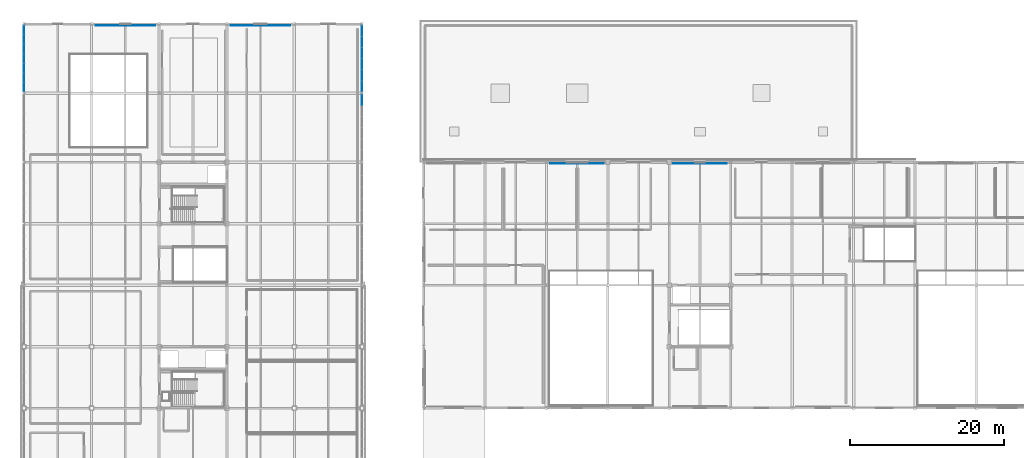
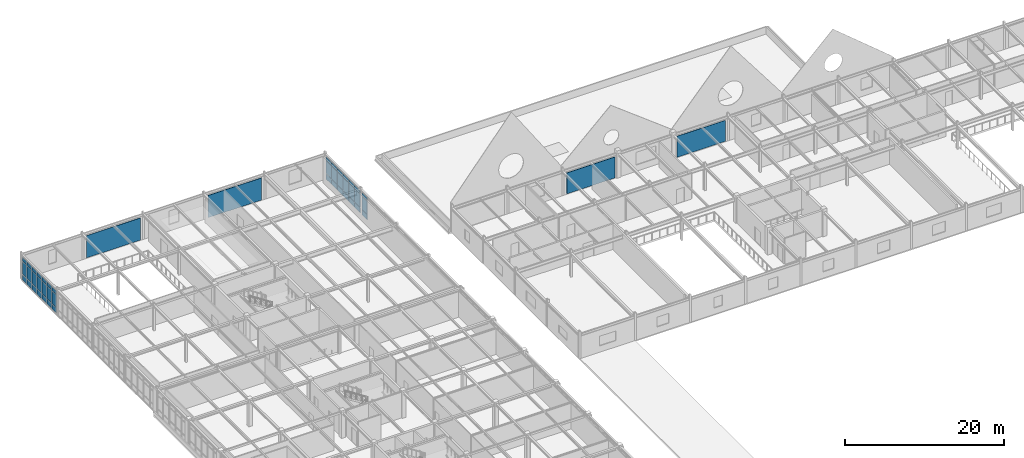
# One storey, part 45 of 88: 46 plates, 3 elements without a shape of their own.
"""IFC4 building model written with IfcOpenShell, lengths in metres."""

from ifc_helpers import new_model, si_unit, direction, frame, origin, origin_2d, place, context, subcontext, project, spatial, rectangle, extrude, material, layer, layer_set, type_object, element, aggregate, save


model = new_model("IFC4")

# Units and contexts
model_context = context("Model", 3, precision=1e-05, world=origin(), true_north=direction((0.0, 1.0)))
body_context = subcontext(model_context, "Body", "Model", "MODEL_VIEW")
ifc_project = project(units=[si_unit("LENGTHUNIT", "METRE"), si_unit("AREAUNIT", "SQUARE_METRE"), si_unit("VOLUMEUNIT", "CUBIC_METRE"), si_unit("PLANEANGLEUNIT", "RADIAN"), si_unit("MASSUNIT", "GRAM", prefix="KILO")], contexts=[model_context])

# Site, building, storey
site_placement = place(None, origin())
site = spatial("IfcSite", under=ifc_project, at=site_placement, CompositionType="ELEMENT")
building_placement = place(site_placement, origin())
building = spatial("IfcBuilding", under=site, at=building_placement, Name="Zhaolan Boulevard Law Courts", CompositionType="ELEMENT")
storey_placement = place(building_placement, frame((0.0, 0.0, 16.199951171875)))
storey = spatial("IfcBuildingStorey", under=building, at=storey_placement, Name="L03", CompositionType="ELEMENT", Elevation=16.199951171875)

# Curtain wall, plates
ifc_material_1 = material(Name="Thermally broken aluminium and low-E glazing", Category="aluminium")
curtain_wall_type_1 = type_object("IfcCurtainWallType", Name="CURTAIN WALL M6", PredefinedType="USERDEFINED", material=ifc_material_1)
curtain_wall_1_placement = place(storey_placement, origin())
curtain_wall_1 = element("IfcCurtainWall", 1, at=curtain_wall_1_placement, inside=storey, type_object=curtain_wall_type_1, Name="Curtain Wall CW-L03-126", ObjectType="CURTAIN WALL", PredefinedType="USERDEFINED")
ifc_material_2 = material(Name="Triple-silver low-E insulated glazing", Category="glass")
ifc_layer_1 = layer(ifc_material_2, 0.028076171875)
ifc_layer_set_1 = layer_set([ifc_layer_1])
plate_type_1 = type_object("IfcPlateType", Name="CWPANEL LOW E28", PredefinedType="CURTAIN_PANEL", material=ifc_layer_set_1)
plate_1_placement = place(storey_placement, frame((0.0, 111.210693359375, 0.06494140625), z_axis=(0.0, 0.0, 1.0), x_axis=(0.0, -1.0, 0.0)))
plate_1 = element("IfcPlate", 2, at=plate_1_placement, type_object=plate_type_1, Name="CW-L03-126 panel 1.1", PredefinedType="CURTAIN_PANEL", context=body_context, shape_type="SweptSolid", body=[
    extrude(rectangle(XDim=1.144775390625, YDim=0.028076171875, at=origin_2d()), origin(), (0.0, 0.0, 1.0), 0.802490234375),
])
plate_2_placement = place(storey_placement, frame((0.0, 111.210693359375, 0.9326171875), z_axis=(0.0, 0.0, 1.0), x_axis=(0.0, -1.0, 0.0)))
plate_2 = element("IfcPlate", 3, at=plate_2_placement, type_object=plate_type_1, Name="CW-L03-126 panel 1.2", PredefinedType="CURTAIN_PANEL", context=body_context, shape_type="SweptSolid", body=[
    extrude(rectangle(XDim=1.144775390625, YDim=0.028076171875, at=origin_2d()), origin(), (0.0, 0.0, 1.0), 1.947998046875),
])
plate_3_placement = place(storey_placement, frame((0.0, 111.210693359375, 2.9453125), z_axis=(0.0, 0.0, 1.0), x_axis=(0.0, -1.0, 0.0)))
plate_3 = element("IfcPlate", 4, at=plate_3_placement, type_object=plate_type_1, Name="CW-L03-126 panel 1.3", PredefinedType="CURTAIN_PANEL", context=body_context, shape_type="SweptSolid", body=[
    extrude(rectangle(XDim=1.144775390625, YDim=0.028076171875, at=origin_2d()), origin(), (0.0, 0.0, 1.0), 0.552490234375),
])
plate_4_placement = place(storey_placement, frame((0.0, 109.984619140625, 0.06494140625), z_axis=(0.0, 0.0, 1.0), x_axis=(0.0, -1.0, 0.0)))
plate_4 = element("IfcPlate", 5, at=plate_4_placement, type_object=plate_type_1, Name="CW-L03-126 panel 2.1", PredefinedType="CURTAIN_PANEL", context=body_context, shape_type="SweptSolid", body=[
    extrude(rectangle(XDim=1.17724609375, YDim=0.028076171875, at=origin_2d()), origin(), (0.0, 0.0, 1.0), 0.802490234375),
])
plate_5_placement = place(storey_placement, frame((0.0, 109.984619140625, 0.9326171875), z_axis=(0.0, 0.0, 1.0), x_axis=(0.0, -1.0, 0.0)))
plate_5 = element("IfcPlate", 6, at=plate_5_placement, type_object=plate_type_1, Name="CW-L03-126 panel 2.2", PredefinedType="CURTAIN_PANEL", context=body_context, shape_type="SweptSolid", body=[
    extrude(rectangle(XDim=1.17724609375, YDim=0.028076171875, at=origin_2d()), origin(), (0.0, 0.0, 1.0), 1.947998046875),
])
plate_6_placement = place(storey_placement, frame((0.0, 109.984619140625, 2.9453125), z_axis=(0.0, 0.0, 1.0), x_axis=(0.0, -1.0, 0.0)))
plate_6 = element("IfcPlate", 7, at=plate_6_placement, type_object=plate_type_1, Name="CW-L03-126 panel 2.3", PredefinedType="CURTAIN_PANEL", context=body_context, shape_type="SweptSolid", body=[
    extrude(rectangle(XDim=1.17724609375, YDim=0.028076171875, at=origin_2d()), origin(), (0.0, 0.0, 1.0), 0.552490234375),
])
plate_7_placement = place(storey_placement, frame((0.0, 108.7421875, 0.06494140625), z_axis=(0.0, 0.0, 1.0), x_axis=(0.0, -1.0, 0.0)))
plate_7 = element("IfcPlate", 8, at=plate_7_placement, type_object=plate_type_1, Name="CW-L03-126 panel 3.1", PredefinedType="CURTAIN_PANEL", context=body_context, shape_type="SweptSolid", body=[
    extrude(rectangle(XDim=1.17724609375, YDim=0.028076171875, at=origin_2d()), origin(), (0.0, 0.0, 1.0), 0.802490234375),
])
plate_8_placement = place(storey_placement, frame((0.0, 108.7421875, 0.9326171875), z_axis=(0.0, 0.0, 1.0), x_axis=(0.0, -1.0, 0.0)))
plate_8 = element("IfcPlate", 9, at=plate_8_placement, type_object=plate_type_1, Name="CW-L03-126 panel 3.2", PredefinedType="CURTAIN_PANEL", context=body_context, shape_type="SweptSolid", body=[
    extrude(rectangle(XDim=1.17724609375, YDim=0.028076171875, at=origin_2d()), origin(), (0.0, 0.0, 1.0), 1.947998046875),
])
plate_9_placement = place(storey_placement, frame((0.0, 108.7421875, 2.9453125), z_axis=(0.0, 0.0, 1.0), x_axis=(0.0, -1.0, 0.0)))
plate_9 = element("IfcPlate", 10, at=plate_9_placement, type_object=plate_type_1, Name="CW-L03-126 panel 3.3", PredefinedType="CURTAIN_PANEL", context=body_context, shape_type="SweptSolid", body=[
    extrude(rectangle(XDim=1.17724609375, YDim=0.028076171875, at=origin_2d()), origin(), (0.0, 0.0, 1.0), 0.552490234375),
])
plate_10_placement = place(storey_placement, frame((0.0, 107.5, 0.06494140625), z_axis=(0.0, 0.0, 1.0), x_axis=(0.0, -1.0, 0.0)))
plate_10 = element("IfcPlate", 11, at=plate_10_placement, type_object=plate_type_1, Name="CW-L03-126 panel 4.1", PredefinedType="CURTAIN_PANEL", context=body_context, shape_type="SweptSolid", body=[
    extrude(rectangle(XDim=1.17724609375, YDim=0.028076171875, at=origin_2d()), origin(), (0.0, 0.0, 1.0), 0.802490234375),
])
plate_11_placement = place(storey_placement, frame((0.0, 107.5, 0.9326171875), z_axis=(0.0, 0.0, 1.0), x_axis=(0.0, -1.0, 0.0)))
plate_11 = element("IfcPlate", 12, at=plate_11_placement, type_object=plate_type_1, Name="CW-L03-126 panel 4.2", PredefinedType="CURTAIN_PANEL", context=body_context, shape_type="SweptSolid", body=[
    extrude(rectangle(XDim=1.17724609375, YDim=0.028076171875, at=origin_2d()), origin(), (0.0, 0.0, 1.0), 1.947998046875),
])
plate_12_placement = place(storey_placement, frame((0.0, 107.5, 2.9453125), z_axis=(0.0, 0.0, 1.0), x_axis=(0.0, -1.0, 0.0)))
plate_12 = element("IfcPlate", 13, at=plate_12_placement, type_object=plate_type_1, Name="CW-L03-126 panel 4.3", PredefinedType="CURTAIN_PANEL", context=body_context, shape_type="SweptSolid", body=[
    extrude(rectangle(XDim=1.17724609375, YDim=0.028076171875, at=origin_2d()), origin(), (0.0, 0.0, 1.0), 0.552490234375),
])
plate_13_placement = place(storey_placement, frame((0.0, 106.2578125, 0.06494140625), z_axis=(0.0, 0.0, 1.0), x_axis=(0.0, -1.0, 0.0)))
plate_13 = element("IfcPlate", 14, at=plate_13_placement, type_object=plate_type_1, Name="CW-L03-126 panel 5.1", PredefinedType="CURTAIN_PANEL", context=body_context, shape_type="SweptSolid", body=[
    extrude(rectangle(XDim=1.17724609375, YDim=0.028076171875, at=origin_2d()), origin(), (0.0, 0.0, 1.0), 0.802490234375),
])
plate_14_placement = place(storey_placement, frame((0.0, 106.2578125, 0.9326171875), z_axis=(0.0, 0.0, 1.0), x_axis=(0.0, -1.0, 0.0)))
plate_14 = element("IfcPlate", 15, at=plate_14_placement, type_object=plate_type_1, Name="CW-L03-126 panel 5.2", PredefinedType="CURTAIN_PANEL", context=body_context, shape_type="SweptSolid", body=[
    extrude(rectangle(XDim=1.17724609375, YDim=0.028076171875, at=origin_2d()), origin(), (0.0, 0.0, 1.0), 1.947998046875),
])
plate_15_placement = place(storey_placement, frame((0.0, 106.2578125, 2.9453125), z_axis=(0.0, 0.0, 1.0), x_axis=(0.0, -1.0, 0.0)))
plate_15 = element("IfcPlate", 16, at=plate_15_placement, type_object=plate_type_1, Name="CW-L03-126 panel 5.3", PredefinedType="CURTAIN_PANEL", context=body_context, shape_type="SweptSolid", body=[
    extrude(rectangle(XDim=1.17724609375, YDim=0.028076171875, at=origin_2d()), origin(), (0.0, 0.0, 1.0), 0.552490234375),
])
plate_16_placement = place(storey_placement, frame((0.0, 105.015380859375, 0.06494140625), z_axis=(0.0, 0.0, 1.0), x_axis=(0.0, -1.0, 0.0)))
plate_16 = element("IfcPlate", 17, at=plate_16_placement, type_object=plate_type_1, Name="CW-L03-126 panel 6.1", PredefinedType="CURTAIN_PANEL", context=body_context, shape_type="SweptSolid", body=[
    extrude(rectangle(XDim=1.17724609375, YDim=0.028076171875, at=origin_2d()), origin(), (0.0, 0.0, 1.0), 0.802490234375),
])
plate_17_placement = place(storey_placement, frame((0.0, 105.015380859375, 0.9326171875), z_axis=(0.0, 0.0, 1.0), x_axis=(0.0, -1.0, 0.0)))
plate_17 = element("IfcPlate", 18, at=plate_17_placement, type_object=plate_type_1, Name="CW-L03-126 panel 6.2", PredefinedType="CURTAIN_PANEL", context=body_context, shape_type="SweptSolid", body=[
    extrude(rectangle(XDim=1.17724609375, YDim=0.028076171875, at=origin_2d()), origin(), (0.0, 0.0, 1.0), 1.947998046875),
])
plate_18_placement = place(storey_placement, frame((0.0, 105.015380859375, 2.9453125), z_axis=(0.0, 0.0, 1.0), x_axis=(0.0, -1.0, 0.0)))
plate_18 = element("IfcPlate", 19, at=plate_18_placement, type_object=plate_type_1, Name="CW-L03-126 panel 6.3", PredefinedType="CURTAIN_PANEL", context=body_context, shape_type="SweptSolid", body=[
    extrude(rectangle(XDim=1.17724609375, YDim=0.028076171875, at=origin_2d()), origin(), (0.0, 0.0, 1.0), 0.552490234375),
])
plate_19_placement = place(storey_placement, frame((0.0, 103.789306640625, 0.06494140625), z_axis=(0.0, 0.0, 1.0), x_axis=(0.0, -1.0, 0.0)))
plate_19 = element("IfcPlate", 20, at=plate_19_placement, type_object=plate_type_1, Name="CW-L03-126 panel 7.1", PredefinedType="CURTAIN_PANEL", context=body_context, shape_type="SweptSolid", body=[
    extrude(rectangle(XDim=1.144775390625, YDim=0.028076171875, at=origin_2d()), origin(), (0.0, 0.0, 1.0), 0.802490234375),
])
plate_20_placement = place(storey_placement, frame((0.0, 103.789306640625, 0.9326171875), z_axis=(0.0, 0.0, 1.0), x_axis=(0.0, -1.0, 0.0)))
plate_20 = element("IfcPlate", 21, at=plate_20_placement, type_object=plate_type_1, Name="CW-L03-126 panel 7.2", PredefinedType="CURTAIN_PANEL", context=body_context, shape_type="SweptSolid", body=[
    extrude(rectangle(XDim=1.144775390625, YDim=0.028076171875, at=origin_2d()), origin(), (0.0, 0.0, 1.0), 1.947998046875),
])
plate_21_placement = place(storey_placement, frame((0.0, 103.789306640625, 2.9453125), z_axis=(0.0, 0.0, 1.0), x_axis=(0.0, -1.0, 0.0)))
plate_21 = element("IfcPlate", 22, at=plate_21_placement, type_object=plate_type_1, Name="CW-L03-126 panel 7.3", PredefinedType="CURTAIN_PANEL", context=body_context, shape_type="SweptSolid", body=[
    extrude(rectangle(XDim=1.144775390625, YDim=0.028076171875, at=origin_2d()), origin(), (0.0, 0.0, 1.0), 0.552490234375),
])
aggregate(curtain_wall_1, [plate_1, plate_2, plate_3, plate_4, plate_5, plate_6, plate_7, plate_8, plate_9, plate_10, plate_11, plate_12, plate_13, plate_14, plate_15, plate_16, plate_17, plate_18, plate_19, plate_20, plate_21])

ifc_material_3 = material(Name="Thermally broken aluminium and low-E glazing", Category="aluminium")
curtain_wall_type_2 = type_object("IfcCurtainWallType", Name="CURTAIN WALL M9", PredefinedType="USERDEFINED", material=ifc_material_3)
curtain_wall_2_placement = place(storey_placement, origin())
curtain_wall_2 = element("IfcCurtainWall", 23, at=curtain_wall_2_placement, inside=storey, type_object=curtain_wall_type_2, Name="Curtain Wall CW-L03-129", ObjectType="CURTAIN WALL", PredefinedType="USERDEFINED")
plate_22_placement = place(storey_placement, frame((44.0, 102.107177734375, 0.06494140625), z_axis=(0.0, 0.0, 1.0), x_axis=(0.0, 1.0, 0.0)))
plate_22 = element("IfcPlate", 24, at=plate_22_placement, type_object=plate_type_1, Name="CW-L03-129 panel 6.1", PredefinedType="CURTAIN_PANEL", context=body_context, shape_type="SweptSolid", body=[
    extrude(rectangle(XDim=1.351806640625, YDim=0.028076171875, at=origin_2d()), origin(), (0.0, 0.0, 1.0), 0.802490234375),
])
plate_23_placement = place(storey_placement, frame((44.0, 102.107177734375, 0.9326171875), z_axis=(0.0, 0.0, 1.0), x_axis=(0.0, 1.0, 0.0)))
plate_23 = element("IfcPlate", 25, at=plate_23_placement, type_object=plate_type_1, Name="CW-L03-129 panel 6.2", PredefinedType="CURTAIN_PANEL", context=body_context, shape_type="SweptSolid", body=[
    extrude(rectangle(XDim=1.351806640625, YDim=0.028076171875, at=origin_2d()), origin(), (0.0, 0.0, 1.0), 1.947998046875),
])
plate_24_placement = place(storey_placement, frame((44.0, 102.107177734375, 2.9453125), z_axis=(0.0, 0.0, 1.0), x_axis=(0.0, 1.0, 0.0)))
plate_24 = element("IfcPlate", 26, at=plate_24_placement, type_object=plate_type_1, Name="CW-L03-129 panel 6.3", PredefinedType="CURTAIN_PANEL", context=body_context, shape_type="SweptSolid", body=[
    extrude(rectangle(XDim=1.351806640625, YDim=0.028076171875, at=origin_2d()), origin(), (0.0, 0.0, 1.0), 0.552490234375),
])
aggregate(curtain_wall_2, [plate_22, plate_23, plate_24])

ifc_material_4 = material(Name="Thermally broken aluminium and low-E glazing", Category="aluminium")
curtain_wall_type_3 = type_object("IfcCurtainWallType", Name="CURTAIN WALL M10", PredefinedType="USERDEFINED", material=ifc_material_4)
curtain_wall_3_placement = place(storey_placement, origin())
curtain_wall_3 = element("IfcCurtainWall", 27, at=curtain_wall_3_placement, inside=storey, type_object=curtain_wall_type_3, Name="Curtain Wall CW-L03-130", ObjectType="CURTAIN WALL", PredefinedType="USERDEFINED")
plate_25_placement = place(storey_placement, frame((44.0, 103.892822265625, 0.06494140625), z_axis=(0.0, 0.0, 1.0), x_axis=(0.0, 1.0, 0.0)))
plate_25 = element("IfcPlate", 28, at=plate_25_placement, type_object=plate_type_1, Name="CW-L03-130 panel 1.1", PredefinedType="CURTAIN_PANEL", context=body_context, shape_type="SweptSolid", body=[
    extrude(rectangle(XDim=1.351806640625, YDim=0.028076171875, at=origin_2d()), origin(), (0.0, 0.0, 1.0), 0.802490234375),
])
plate_26_placement = place(storey_placement, frame((44.0, 103.892822265625, 0.9326171875), z_axis=(0.0, 0.0, 1.0), x_axis=(0.0, 1.0, 0.0)))
plate_26 = element("IfcPlate", 29, at=plate_26_placement, type_object=plate_type_1, Name="CW-L03-130 panel 1.2", PredefinedType="CURTAIN_PANEL", context=body_context, shape_type="SweptSolid", body=[
    extrude(rectangle(XDim=1.351806640625, YDim=0.028076171875, at=origin_2d()), origin(), (0.0, 0.0, 1.0), 1.947998046875),
])
plate_27_placement = place(storey_placement, frame((44.0, 103.892822265625, 2.9453125), z_axis=(0.0, 0.0, 1.0), x_axis=(0.0, 1.0, 0.0)))
plate_27 = element("IfcPlate", 30, at=plate_27_placement, type_object=plate_type_1, Name="CW-L03-130 panel 1.3", PredefinedType="CURTAIN_PANEL", context=body_context, shape_type="SweptSolid", body=[
    extrude(rectangle(XDim=1.351806640625, YDim=0.028076171875, at=origin_2d()), origin(), (0.0, 0.0, 1.0), 0.552490234375),
])
plate_28_placement = place(storey_placement, frame((44.0, 105.325927734375, 0.06494140625), z_axis=(0.0, 0.0, 1.0), x_axis=(0.0, 1.0, 0.0)))
plate_28 = element("IfcPlate", 31, at=plate_28_placement, type_object=plate_type_1, Name="CW-L03-130 panel 2.1", PredefinedType="CURTAIN_PANEL", context=body_context, shape_type="SweptSolid", body=[
    extrude(rectangle(XDim=1.38427734375, YDim=0.028076171875, at=origin_2d()), origin(), (0.0, 0.0, 1.0), 0.802490234375),
])
plate_29_placement = place(storey_placement, frame((44.0, 105.325927734375, 0.9326171875), z_axis=(0.0, 0.0, 1.0), x_axis=(0.0, 1.0, 0.0)))
plate_29 = element("IfcPlate", 32, at=plate_29_placement, type_object=plate_type_1, Name="CW-L03-130 panel 2.2", PredefinedType="CURTAIN_PANEL", context=body_context, shape_type="SweptSolid", body=[
    extrude(rectangle(XDim=1.38427734375, YDim=0.028076171875, at=origin_2d()), origin(), (0.0, 0.0, 1.0), 1.947998046875),
])
plate_30_placement = place(storey_placement, frame((44.0, 105.325927734375, 2.9453125), z_axis=(0.0, 0.0, 1.0), x_axis=(0.0, 1.0, 0.0)))
plate_30 = element("IfcPlate", 33, at=plate_30_placement, type_object=plate_type_1, Name="CW-L03-130 panel 2.3", PredefinedType="CURTAIN_PANEL", context=body_context, shape_type="SweptSolid", body=[
    extrude(rectangle(XDim=1.38427734375, YDim=0.028076171875, at=origin_2d()), origin(), (0.0, 0.0, 1.0), 0.552490234375),
])
plate_31_placement = place(storey_placement, frame((44.0, 106.775390625, 0.06494140625), z_axis=(0.0, 0.0, 1.0), x_axis=(0.0, 1.0, 0.0)))
plate_31 = element("IfcPlate", 34, at=plate_31_placement, type_object=plate_type_1, Name="CW-L03-130 panel 3.1", PredefinedType="CURTAIN_PANEL", context=body_context, shape_type="SweptSolid", body=[
    extrude(rectangle(XDim=1.38427734375, YDim=0.028076171875, at=origin_2d()), origin(), (0.0, 0.0, 1.0), 0.802490234375),
])
plate_32_placement = place(storey_placement, frame((44.0, 106.775390625, 0.9326171875), z_axis=(0.0, 0.0, 1.0), x_axis=(0.0, 1.0, 0.0)))
plate_32 = element("IfcPlate", 35, at=plate_32_placement, type_object=plate_type_1, Name="CW-L03-130 panel 3.2", PredefinedType="CURTAIN_PANEL", context=body_context, shape_type="SweptSolid", body=[
    extrude(rectangle(XDim=1.38427734375, YDim=0.028076171875, at=origin_2d()), origin(), (0.0, 0.0, 1.0), 1.947998046875),
])
plate_33_placement = place(storey_placement, frame((44.0, 106.775390625, 2.9453125), z_axis=(0.0, 0.0, 1.0), x_axis=(0.0, 1.0, 0.0)))
plate_33 = element("IfcPlate", 36, at=plate_33_placement, type_object=plate_type_1, Name="CW-L03-130 panel 3.3", PredefinedType="CURTAIN_PANEL", context=body_context, shape_type="SweptSolid", body=[
    extrude(rectangle(XDim=1.38427734375, YDim=0.028076171875, at=origin_2d()), origin(), (0.0, 0.0, 1.0), 0.552490234375),
])
plate_34_placement = place(storey_placement, frame((44.0, 108.224609375, 0.06494140625), z_axis=(0.0, 0.0, 1.0), x_axis=(0.0, 1.0, 0.0)))
plate_34 = element("IfcPlate", 37, at=plate_34_placement, type_object=plate_type_1, Name="CW-L03-130 panel 4.1", PredefinedType="CURTAIN_PANEL", context=body_context, shape_type="SweptSolid", body=[
    extrude(rectangle(XDim=1.38427734375, YDim=0.028076171875, at=origin_2d()), origin(), (0.0, 0.0, 1.0), 0.802490234375),
])
plate_35_placement = place(storey_placement, frame((44.0, 108.224609375, 0.9326171875), z_axis=(0.0, 0.0, 1.0), x_axis=(0.0, 1.0, 0.0)))
plate_35 = element("IfcPlate", 38, at=plate_35_placement, type_object=plate_type_1, Name="CW-L03-130 panel 4.2", PredefinedType="CURTAIN_PANEL", context=body_context, shape_type="SweptSolid", body=[
    extrude(rectangle(XDim=1.38427734375, YDim=0.028076171875, at=origin_2d()), origin(), (0.0, 0.0, 1.0), 1.947998046875),
])
plate_36_placement = place(storey_placement, frame((44.0, 108.224609375, 2.9453125), z_axis=(0.0, 0.0, 1.0), x_axis=(0.0, 1.0, 0.0)))
plate_36 = element("IfcPlate", 39, at=plate_36_placement, type_object=plate_type_1, Name="CW-L03-130 panel 4.3", PredefinedType="CURTAIN_PANEL", context=body_context, shape_type="SweptSolid", body=[
    extrude(rectangle(XDim=1.38427734375, YDim=0.028076171875, at=origin_2d()), origin(), (0.0, 0.0, 1.0), 0.552490234375),
])
plate_37_placement = place(storey_placement, frame((44.0, 109.674072265625, 0.06494140625), z_axis=(0.0, 0.0, 1.0), x_axis=(0.0, 1.0, 0.0)))
plate_37 = element("IfcPlate", 40, at=plate_37_placement, type_object=plate_type_1, Name="CW-L03-130 panel 5.1", PredefinedType="CURTAIN_PANEL", context=body_context, shape_type="SweptSolid", body=[
    extrude(rectangle(XDim=1.38427734375, YDim=0.028076171875, at=origin_2d()), origin(), (0.0, 0.0, 1.0), 0.802490234375),
])
plate_38_placement = place(storey_placement, frame((44.0, 109.674072265625, 0.9326171875), z_axis=(0.0, 0.0, 1.0), x_axis=(0.0, 1.0, 0.0)))
plate_38 = element("IfcPlate", 41, at=plate_38_placement, type_object=plate_type_1, Name="CW-L03-130 panel 5.2", PredefinedType="CURTAIN_PANEL", context=body_context, shape_type="SweptSolid", body=[
    extrude(rectangle(XDim=1.38427734375, YDim=0.028076171875, at=origin_2d()), origin(), (0.0, 0.0, 1.0), 1.947998046875),
])
plate_39_placement = place(storey_placement, frame((44.0, 109.674072265625, 2.9453125), z_axis=(0.0, 0.0, 1.0), x_axis=(0.0, 1.0, 0.0)))
plate_39 = element("IfcPlate", 42, at=plate_39_placement, type_object=plate_type_1, Name="CW-L03-130 panel 5.3", PredefinedType="CURTAIN_PANEL", context=body_context, shape_type="SweptSolid", body=[
    extrude(rectangle(XDim=1.38427734375, YDim=0.028076171875, at=origin_2d()), origin(), (0.0, 0.0, 1.0), 0.552490234375),
])
plate_40_placement = place(storey_placement, frame((44.0, 111.107177734375, 0.06494140625), z_axis=(0.0, 0.0, 1.0), x_axis=(0.0, 1.0, 0.0)))
plate_40 = element("IfcPlate", 43, at=plate_40_placement, type_object=plate_type_1, Name="CW-L03-130 panel 6.1", PredefinedType="CURTAIN_PANEL", context=body_context, shape_type="SweptSolid", body=[
    extrude(rectangle(XDim=1.351806640625, YDim=0.028076171875, at=origin_2d()), origin(), (0.0, 0.0, 1.0), 0.802490234375),
])
plate_41_placement = place(storey_placement, frame((44.0, 111.107177734375, 0.9326171875), z_axis=(0.0, 0.0, 1.0), x_axis=(0.0, 1.0, 0.0)))
plate_41 = element("IfcPlate", 44, at=plate_41_placement, type_object=plate_type_1, Name="CW-L03-130 panel 6.2", PredefinedType="CURTAIN_PANEL", context=body_context, shape_type="SweptSolid", body=[
    extrude(rectangle(XDim=1.351806640625, YDim=0.028076171875, at=origin_2d()), origin(), (0.0, 0.0, 1.0), 1.947998046875),
])
plate_42_placement = place(storey_placement, frame((44.0, 111.107177734375, 2.9453125), z_axis=(0.0, 0.0, 1.0), x_axis=(0.0, 1.0, 0.0)))
plate_42 = element("IfcPlate", 45, at=plate_42_placement, type_object=plate_type_1, Name="CW-L03-130 panel 6.3", PredefinedType="CURTAIN_PANEL", context=body_context, shape_type="SweptSolid", body=[
    extrude(rectangle(XDim=1.351806640625, YDim=0.028076171875, at=origin_2d()), origin(), (0.0, 0.0, 1.0), 0.552490234375),
])
aggregate(curtain_wall_3, [plate_25, plate_26, plate_27, plate_28, plate_29, plate_30, plate_31, plate_32, plate_33, plate_34, plate_35, plate_36, plate_37, plate_38, plate_39, plate_40, plate_41, plate_42])

# Plates
ifc_material_5 = material(Name="Pale mist-grey standing-seam Al-Mg-Mn zinc-titanium")
ifc_layer_2 = layer(ifc_material_5, 0.0400390625)
ifc_layer_set_2 = layer_set([ifc_layer_2])
plate_type_2 = type_object("IfcPlateType", Name="STANDING SEAM PLATE 40", PredefinedType="SHEET", material=ifc_layer_set_2)
plate_43_placement = place(storey_placement, frame((88.0, 93.830078125, 0.1005859375), z_axis=(0.0, 0.0, 1.0), x_axis=(-1.0, 0.0, 0.0)))
element("IfcPlate", 46, at=plate_43_placement, inside=storey, type_object=plate_type_2, Name="Standing-Seam Metal Wall Cladding SSP-L03-288", PredefinedType="SHEET", context=body_context, shape_type="SweptSolid", body=[
    extrude(rectangle(XDim=6.9599609375, YDim=0.0400390625, at=origin_2d()), origin(), (0.0, 0.0, 1.0), 3.222900390625),
])
ifc_material_6 = material(Name="Pale mist-grey standing-seam Al-Mg-Mn zinc-titanium")
ifc_layer_3 = layer(ifc_material_6, 0.050048828125)
ifc_layer_set_3 = layer_set([ifc_layer_3])
plate_type_3 = type_object("IfcPlateType", Name="STANDING SEAM PLATE 50", PredefinedType="SHEET", material=ifc_layer_set_3)
plate_44_placement = place(storey_placement, frame((13.199951171875, 111.824951171875, 0.1005859375), z_axis=(0.0, 0.0, 1.0), x_axis=(-1.0, 0.0, 0.0)))
element("IfcPlate", 47, at=plate_44_placement, inside=storey, type_object=plate_type_3, Name="Standing-Seam Metal Wall Cladding SSP-L03-356", PredefinedType="SHEET", context=body_context, shape_type="SweptSolid", body=[
    extrude(rectangle(XDim=7.760009765625, YDim=0.050048828125, at=origin_2d()), origin(), (0.0, 0.0, 1.0), 3.403076171875),
])
ifc_material_7 = material(Name="Pale mist-grey standing-seam Al-Mg-Mn zinc-titanium")
ifc_layer_4 = layer(ifc_material_7, 0.06005859375)
ifc_layer_set_4 = layer_set([ifc_layer_4])
plate_type_4 = type_object("IfcPlateType", Name="STANDING SEAM PLATE 60", PredefinedType="SHEET", material=ifc_layer_set_4)
plate_45_placement = place(storey_placement, frame((72.0, 93.820068359375, 0.1005859375), z_axis=(0.0, 0.0, 1.0), x_axis=(-1.0, 0.0, 0.0)))
element("IfcPlate", 48, at=plate_45_placement, inside=storey, type_object=plate_type_4, Name="Standing-Seam Metal Wall Cladding SSP-L03-286", PredefinedType="SHEET", context=body_context, shape_type="SweptSolid", body=[
    extrude(rectangle(XDim=6.9599609375, YDim=0.06005859375, at=origin_2d()), origin(), (0.0, 0.0, 1.0), 3.222900390625),
])
plate_46_placement = place(storey_placement, frame((30.800048828125, 111.820068359375, 0.1005859375), z_axis=(0.0, 0.0, 1.0), x_axis=(-1.0, 0.0, 0.0)))
element("IfcPlate", 49, at=plate_46_placement, inside=storey, type_object=plate_type_4, Name="Standing-Seam Metal Wall Cladding SSP-L03-358", PredefinedType="SHEET", context=body_context, shape_type="SweptSolid", body=[
    extrude(rectangle(XDim=7.760009765625, YDim=0.06005859375, at=origin_2d()), origin(), (0.0, 0.0, 1.0), 3.403076171875),
])

save(model, "model.ifc")
